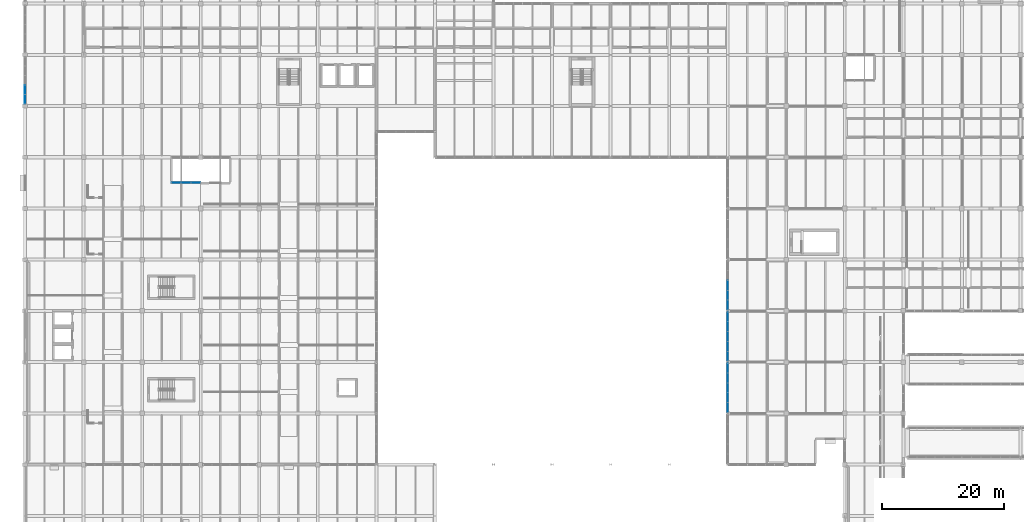
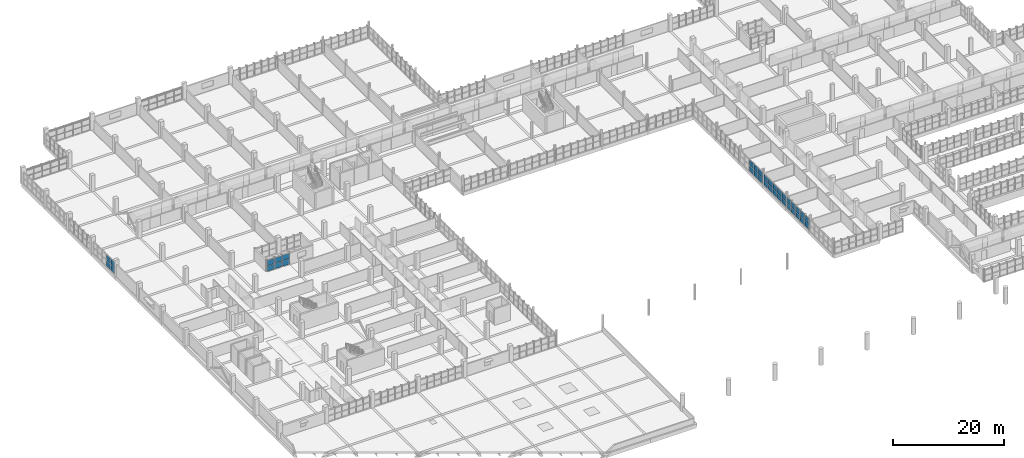
# One storey, part 93 of 147: 36 plates, 5 elements without a shape of their own.
"""IFC4 building model written with IfcOpenShell, lengths in metres."""

from ifc_helpers import new_model, si_unit, direction, frame, origin, origin_2d, place, context, subcontext, project, spatial, rectangle, extrude, material, layer, layer_set, type_object, element, aggregate, save


model = new_model("IFC4")

# Units and contexts
model_context = context("Model", 3, precision=1e-05, world=origin(), true_north=direction((0.0, 1.0)))
body_context = subcontext(model_context, "Body", "Model", "MODEL_VIEW")
ifc_project = project(units=[si_unit("LENGTHUNIT", "METRE"), si_unit("AREAUNIT", "SQUARE_METRE"), si_unit("VOLUMEUNIT", "CUBIC_METRE"), si_unit("PLANEANGLEUNIT", "RADIAN"), si_unit("MASSUNIT", "GRAM", prefix="KILO")], contexts=[model_context])

# Site, building, storey
site_placement = place(None, origin())
site = spatial("IfcSite", under=ifc_project, at=site_placement, CompositionType="ELEMENT")
building_placement = place(site_placement, origin())
building = spatial("IfcBuilding", under=site, at=building_placement, Name="Oolite Switchyard Hospital", CompositionType="ELEMENT")
storey_placement = place(building_placement, frame((0.0, 0.0, 9.89990234375)))
storey = spatial("IfcBuildingStorey", under=building, at=storey_placement, Name="L02", CompositionType="ELEMENT", Elevation=9.89990234375)

# Curtain wall, plates
ifc_material_1 = material(Name="Thermally broken aluminum frame with laminated impact glazing", Category="aluminium")
curtain_wall_type = type_object("IfcCurtainWallType", Name="CW-UNIT-84X36", PredefinedType="USERDEFINED", material=ifc_material_1)
curtain_wall_1_placement = place(storey_placement, origin())
curtain_wall_1 = element("IfcCurtainWall", 1, at=curtain_wall_1_placement, inside=storey, type_object=curtain_wall_type, Name="L02 Unitised Curtain Wall 276", ObjectType="UNITISED", PredefinedType="USERDEFINED")
ifc_material_2 = material(Name="Laminated hurricane-impact insulated glazing unit", Category="glass")
ifc_layer_1 = layer(ifc_material_2, 0.028076171875)
ifc_layer_set_1 = layer_set([ifc_layer_1], Name="CW-PNL-VIS28")
plate_type_1 = type_object("IfcPlateType", Name="CW-PNL-VIS28", PredefinedType="CURTAIN_PANEL", material=ifc_layer_set_1)
plate_1_placement = place(storey_placement, frame((0.0, 93.5107421875, 0.06005859375), z_axis=(0.0, 0.0, 1.0), x_axis=(0.0, 1.0, 0.0)))
plate_1 = element("IfcPlate", 2, at=plate_1_placement, type_object=plate_type_1, Name="CW-08 panel 1.1", PredefinedType="CURTAIN_PANEL", context=body_context, shape_type="SweptSolid", body=[
    extrude(rectangle(XDim=1.44140625, YDim=0.028076171875, at=origin_2d()), origin(), (0.0, 0.0, 1.0), 1.195068359375),
])
plate_2_placement = place(storey_placement, frame((0.0, 93.5107421875, 1.31494140625), z_axis=(0.0, 0.0, 1.0), x_axis=(0.0, 1.0, 0.0)))
plate_2 = element("IfcPlate", 3, at=plate_2_placement, type_object=plate_type_1, Name="CW-08 panel 1.2", PredefinedType="CURTAIN_PANEL", context=body_context, shape_type="SweptSolid", body=[
    extrude(rectangle(XDim=1.44140625, YDim=0.028076171875, at=origin_2d()), origin(), (0.0, 0.0, 1.0), 1.195068359375),
])
plate_3_placement = place(storey_placement, frame((0.0, 95.0458984375, 0.06005859375), z_axis=(0.0, 0.0, 1.0), x_axis=(0.0, 1.0, 0.0)))
plate_3 = element("IfcPlate", 4, at=plate_3_placement, type_object=plate_type_1, Name="CW-08 panel 2.1", PredefinedType="CURTAIN_PANEL", context=body_context, shape_type="SweptSolid", body=[
    extrude(rectangle(XDim=1.47900390625, YDim=0.028076171875, at=origin_2d()), origin(), (0.0, 0.0, 1.0), 1.195068359375),
])
plate_4_placement = place(storey_placement, frame((0.0, 95.0458984375, 1.31494140625), z_axis=(0.0, 0.0, 1.0), x_axis=(0.0, 1.0, 0.0)))
plate_4 = element("IfcPlate", 5, at=plate_4_placement, type_object=plate_type_1, Name="CW-08 panel 2.2", PredefinedType="CURTAIN_PANEL", context=body_context, shape_type="SweptSolid", body=[
    extrude(rectangle(XDim=1.47900390625, YDim=0.028076171875, at=origin_2d()), origin(), (0.0, 0.0, 1.0), 1.195068359375),
])
aggregate(curtain_wall_1, [plate_1, plate_2, plate_3, plate_4])

curtain_wall_2_placement = place(storey_placement, origin())
curtain_wall_2 = element("IfcCurtainWall", 6, at=curtain_wall_2_placement, inside=storey, type_object=curtain_wall_type, Name="L02 Unitised Curtain Wall 292", ObjectType="UNITISED", PredefinedType="USERDEFINED")
plate_5_placement = place(storey_placement, frame((115.199951171875, 42.968505859375, 0.06005859375), z_axis=(0.0, 0.0, 1.0), x_axis=(0.0, 1.0, 0.0)))
plate_5 = element("IfcPlate", 7, at=plate_5_placement, type_object=plate_type_1, Name="CW-08 panel 1.1", PredefinedType="CURTAIN_PANEL", context=body_context, shape_type="SweptSolid", body=[
    extrude(rectangle(XDim=1.533203125, YDim=0.028076171875, at=origin_2d()), origin(), (0.0, 0.0, 1.0), 1.195068359375),
])
plate_6_placement = place(storey_placement, frame((115.199951171875, 42.968505859375, 1.31494140625), z_axis=(0.0, 0.0, 1.0), x_axis=(0.0, 1.0, 0.0)))
plate_6 = element("IfcPlate", 8, at=plate_6_placement, type_object=plate_type_1, Name="CW-08 panel 1.2", PredefinedType="CURTAIN_PANEL", context=body_context, shape_type="SweptSolid", body=[
    extrude(rectangle(XDim=1.533203125, YDim=0.028076171875, at=origin_2d()), origin(), (0.0, 0.0, 1.0), 1.195068359375),
])
plate_7_placement = place(storey_placement, frame((115.199951171875, 44.576904296875, 0.06005859375), z_axis=(0.0, 0.0, 1.0), x_axis=(0.0, 1.0, 0.0)))
plate_7 = element("IfcPlate", 9, at=plate_7_placement, type_object=plate_type_1, Name="CW-08 panel 2.1", PredefinedType="CURTAIN_PANEL", context=body_context, shape_type="SweptSolid", body=[
    extrude(rectangle(XDim=1.563232421875, YDim=0.028076171875, at=origin_2d()), origin(), (0.0, 0.0, 1.0), 1.195068359375),
])
plate_8_placement = place(storey_placement, frame((115.199951171875, 44.576904296875, 1.31494140625), z_axis=(0.0, 0.0, 1.0), x_axis=(0.0, 1.0, 0.0)))
plate_8 = element("IfcPlate", 10, at=plate_8_placement, type_object=plate_type_1, Name="CW-08 panel 2.2", PredefinedType="CURTAIN_PANEL", context=body_context, shape_type="SweptSolid", body=[
    extrude(rectangle(XDim=1.563232421875, YDim=0.028076171875, at=origin_2d()), origin(), (0.0, 0.0, 1.0), 1.195068359375),
])
plate_9_placement = place(storey_placement, frame((115.199951171875, 46.199951171875, 0.06005859375), z_axis=(0.0, 0.0, 1.0), x_axis=(0.0, 1.0, 0.0)))
plate_9 = element("IfcPlate", 11, at=plate_9_placement, type_object=plate_type_1, Name="CW-08 panel 3.1", PredefinedType="CURTAIN_PANEL", context=body_context, shape_type="SweptSolid", body=[
    extrude(rectangle(XDim=1.563232421875, YDim=0.028076171875, at=origin_2d()), origin(), (0.0, 0.0, 1.0), 1.195068359375),
])
plate_10_placement = place(storey_placement, frame((115.199951171875, 46.199951171875, 1.31494140625), z_axis=(0.0, 0.0, 1.0), x_axis=(0.0, 1.0, 0.0)))
plate_10 = element("IfcPlate", 12, at=plate_10_placement, type_object=plate_type_1, Name="CW-08 panel 3.2", PredefinedType="CURTAIN_PANEL", context=body_context, shape_type="SweptSolid", body=[
    extrude(rectangle(XDim=1.563232421875, YDim=0.028076171875, at=origin_2d()), origin(), (0.0, 0.0, 1.0), 1.195068359375),
])
plate_11_placement = place(storey_placement, frame((115.199951171875, 47.8232421875, 0.06005859375), z_axis=(0.0, 0.0, 1.0), x_axis=(0.0, 1.0, 0.0)))
plate_11 = element("IfcPlate", 13, at=plate_11_placement, type_object=plate_type_1, Name="CW-08 panel 4.1", PredefinedType="CURTAIN_PANEL", context=body_context, shape_type="SweptSolid", body=[
    extrude(rectangle(XDim=1.563232421875, YDim=0.028076171875, at=origin_2d()), origin(), (0.0, 0.0, 1.0), 1.195068359375),
])
plate_12_placement = place(storey_placement, frame((115.199951171875, 47.8232421875, 1.31494140625), z_axis=(0.0, 0.0, 1.0), x_axis=(0.0, 1.0, 0.0)))
plate_12 = element("IfcPlate", 14, at=plate_12_placement, type_object=plate_type_1, Name="CW-08 panel 4.2", PredefinedType="CURTAIN_PANEL", context=body_context, shape_type="SweptSolid", body=[
    extrude(rectangle(XDim=1.563232421875, YDim=0.028076171875, at=origin_2d()), origin(), (0.0, 0.0, 1.0), 1.195068359375),
])
plate_13_placement = place(storey_placement, frame((115.199951171875, 49.431396484375, 0.06005859375), z_axis=(0.0, 0.0, 1.0), x_axis=(0.0, 1.0, 0.0)))
plate_13 = element("IfcPlate", 15, at=plate_13_placement, type_object=plate_type_1, Name="CW-08 panel 5.1", PredefinedType="CURTAIN_PANEL", context=body_context, shape_type="SweptSolid", body=[
    extrude(rectangle(XDim=1.533203125, YDim=0.028076171875, at=origin_2d()), origin(), (0.0, 0.0, 1.0), 1.195068359375),
])
plate_14_placement = place(storey_placement, frame((115.199951171875, 49.431396484375, 1.31494140625), z_axis=(0.0, 0.0, 1.0), x_axis=(0.0, 1.0, 0.0)))
plate_14 = element("IfcPlate", 16, at=plate_14_placement, type_object=plate_type_1, Name="CW-08 panel 5.2", PredefinedType="CURTAIN_PANEL", context=body_context, shape_type="SweptSolid", body=[
    extrude(rectangle(XDim=1.533203125, YDim=0.028076171875, at=origin_2d()), origin(), (0.0, 0.0, 1.0), 1.195068359375),
])
aggregate(curtain_wall_2, [plate_5, plate_6, plate_7, plate_8, plate_9, plate_10, plate_11, plate_12, plate_13, plate_14])

curtain_wall_3_placement = place(storey_placement, origin())
curtain_wall_3 = element("IfcCurtainWall", 17, at=curtain_wall_3_placement, inside=storey, type_object=curtain_wall_type, Name="L02 Unitised Curtain Wall 249", ObjectType="UNITISED", PredefinedType="USERDEFINED")
ifc_layer_2 = layer(ifc_material_2, 0.031982421875)
ifc_layer_set_2 = layer_set([ifc_layer_2], Name="CW-PNL-VIS32")
plate_type_2 = type_object("IfcPlateType", Name="CW-PNL-VIS32", PredefinedType="CURTAIN_PANEL", material=ifc_layer_set_2)
plate_15_placement = place(storey_placement, frame((24.81884765625, 79.800048828125, 0.0751953125), z_axis=(0.0, 0.0, 1.0), x_axis=(1.0, 0.0, 0.0)))
plate_15 = element("IfcPlate", 18, at=plate_15_placement, type_object=plate_type_2, Name="CW-08 panel 1.1", PredefinedType="CURTAIN_PANEL", context=body_context, shape_type="SweptSolid", body=[
    extrude(rectangle(XDim=1.487548828125, YDim=0.031982421875, at=origin_2d()), origin(), (0.0, 0.0, 1.0), 1.172607421875),
])
plate_16_placement = place(storey_placement, frame((24.81884765625, 79.800048828125, 1.32275390625), z_axis=(0.0, 0.0, 1.0), x_axis=(1.0, 0.0, 0.0)))
plate_16 = element("IfcPlate", 19, at=plate_16_placement, type_object=plate_type_2, Name="CW-08 panel 1.2", PredefinedType="CURTAIN_PANEL", context=body_context, shape_type="SweptSolid", body=[
    extrude(rectangle(XDim=1.487548828125, YDim=0.031982421875, at=origin_2d()), origin(), (0.0, 0.0, 1.0), 1.172607421875),
])
plate_17_placement = place(storey_placement, frame((26.39990234375, 79.800048828125, 0.0751953125), z_axis=(0.0, 0.0, 1.0), x_axis=(1.0, 0.0, 0.0)))
plate_17 = element("IfcPlate", 20, at=plate_17_placement, type_object=plate_type_2, Name="CW-08 panel 2.1", PredefinedType="CURTAIN_PANEL", context=body_context, shape_type="SweptSolid", body=[
    extrude(rectangle(XDim=1.52490234375, YDim=0.031982421875, at=origin_2d()), origin(), (0.0, 0.0, 1.0), 1.172607421875),
])
plate_18_placement = place(storey_placement, frame((26.39990234375, 79.800048828125, 1.32275390625), z_axis=(0.0, 0.0, 1.0), x_axis=(1.0, 0.0, 0.0)))
plate_18 = element("IfcPlate", 21, at=plate_18_placement, type_object=plate_type_2, Name="CW-08 panel 2.2", PredefinedType="CURTAIN_PANEL", context=body_context, shape_type="SweptSolid", body=[
    extrude(rectangle(XDim=1.52490234375, YDim=0.031982421875, at=origin_2d()), origin(), (0.0, 0.0, 1.0), 1.172607421875),
])
plate_19_placement = place(storey_placement, frame((27.981201171875, 79.800048828125, 0.0751953125), z_axis=(0.0, 0.0, 1.0), x_axis=(1.0, 0.0, 0.0)))
plate_19 = element("IfcPlate", 22, at=plate_19_placement, type_object=plate_type_2, Name="CW-08 panel 3.1", PredefinedType="CURTAIN_PANEL", context=body_context, shape_type="SweptSolid", body=[
    extrude(rectangle(XDim=1.487548828125, YDim=0.031982421875, at=origin_2d()), origin(), (0.0, 0.0, 1.0), 1.172607421875),
])
plate_20_placement = place(storey_placement, frame((27.981201171875, 79.800048828125, 1.32275390625), z_axis=(0.0, 0.0, 1.0), x_axis=(1.0, 0.0, 0.0)))
plate_20 = element("IfcPlate", 23, at=plate_20_placement, type_object=plate_type_2, Name="CW-08 panel 3.2", PredefinedType="CURTAIN_PANEL", context=body_context, shape_type="SweptSolid", body=[
    extrude(rectangle(XDim=1.487548828125, YDim=0.031982421875, at=origin_2d()), origin(), (0.0, 0.0, 1.0), 1.172607421875),
])
aggregate(curtain_wall_3, [plate_15, plate_16, plate_17, plate_18, plate_19, plate_20])

curtain_wall_4_placement = place(storey_placement, origin())
curtain_wall_4 = element("IfcCurtainWall", 24, at=curtain_wall_4_placement, inside=storey, type_object=curtain_wall_type, Name="L02 Unitised Curtain Wall 293", ObjectType="UNITISED", PredefinedType="USERDEFINED")
plate_21_placement = place(storey_placement, frame((115.199951171875, 51.37109375, 0.0751953125), z_axis=(0.0, 0.0, 1.0), x_axis=(0.0, 1.0, 0.0)))
plate_21 = element("IfcPlate", 25, at=plate_21_placement, type_object=plate_type_2, Name="CW-08 panel 1.1", PredefinedType="CURTAIN_PANEL", context=body_context, shape_type="SweptSolid", body=[
    extrude(rectangle(XDim=1.518310546875, YDim=0.031982421875, at=origin_2d()), origin(), (0.0, 0.0, 1.0), 1.172607421875),
])
plate_22_placement = place(storey_placement, frame((115.199951171875, 51.37109375, 1.32275390625), z_axis=(0.0, 0.0, 1.0), x_axis=(0.0, 1.0, 0.0)))
plate_22 = element("IfcPlate", 26, at=plate_22_placement, type_object=plate_type_2, Name="CW-08 panel 1.2", PredefinedType="CURTAIN_PANEL", context=body_context, shape_type="SweptSolid", body=[
    extrude(rectangle(XDim=1.518310546875, YDim=0.031982421875, at=origin_2d()), origin(), (0.0, 0.0, 1.0), 1.172607421875),
])
plate_23_placement = place(storey_placement, frame((115.199951171875, 52.976806640625, 0.0751953125), z_axis=(0.0, 0.0, 1.0), x_axis=(0.0, 1.0, 0.0)))
plate_23 = element("IfcPlate", 27, at=plate_23_placement, type_object=plate_type_2, Name="CW-08 panel 2.1", PredefinedType="CURTAIN_PANEL", context=body_context, shape_type="SweptSolid", body=[
    extrude(rectangle(XDim=1.55322265625, YDim=0.031982421875, at=origin_2d()), origin(), (0.0, 0.0, 1.0), 1.172607421875),
])
plate_24_placement = place(storey_placement, frame((115.199951171875, 52.976806640625, 1.32275390625), z_axis=(0.0, 0.0, 1.0), x_axis=(0.0, 1.0, 0.0)))
plate_24 = element("IfcPlate", 28, at=plate_24_placement, type_object=plate_type_2, Name="CW-08 panel 2.2", PredefinedType="CURTAIN_PANEL", context=body_context, shape_type="SweptSolid", body=[
    extrude(rectangle(XDim=1.55322265625, YDim=0.031982421875, at=origin_2d()), origin(), (0.0, 0.0, 1.0), 1.172607421875),
])
plate_25_placement = place(storey_placement, frame((115.199951171875, 54.60009765625, 0.0751953125), z_axis=(0.0, 0.0, 1.0), x_axis=(0.0, 1.0, 0.0)))
plate_25 = element("IfcPlate", 29, at=plate_25_placement, type_object=plate_type_2, Name="CW-08 panel 3.1", PredefinedType="CURTAIN_PANEL", context=body_context, shape_type="SweptSolid", body=[
    extrude(rectangle(XDim=1.55322265625, YDim=0.031982421875, at=origin_2d()), origin(), (0.0, 0.0, 1.0), 1.172607421875),
])
plate_26_placement = place(storey_placement, frame((115.199951171875, 54.60009765625, 1.32275390625), z_axis=(0.0, 0.0, 1.0), x_axis=(0.0, 1.0, 0.0)))
plate_26 = element("IfcPlate", 30, at=plate_26_placement, type_object=plate_type_2, Name="CW-08 panel 3.2", PredefinedType="CURTAIN_PANEL", context=body_context, shape_type="SweptSolid", body=[
    extrude(rectangle(XDim=1.55322265625, YDim=0.031982421875, at=origin_2d()), origin(), (0.0, 0.0, 1.0), 1.172607421875),
])
plate_27_placement = place(storey_placement, frame((115.199951171875, 56.22314453125, 0.0751953125), z_axis=(0.0, 0.0, 1.0), x_axis=(0.0, 1.0, 0.0)))
plate_27 = element("IfcPlate", 31, at=plate_27_placement, type_object=plate_type_2, Name="CW-08 panel 4.1", PredefinedType="CURTAIN_PANEL", context=body_context, shape_type="SweptSolid", body=[
    extrude(rectangle(XDim=1.55322265625, YDim=0.031982421875, at=origin_2d()), origin(), (0.0, 0.0, 1.0), 1.172607421875),
])
plate_28_placement = place(storey_placement, frame((115.199951171875, 56.22314453125, 1.32275390625), z_axis=(0.0, 0.0, 1.0), x_axis=(0.0, 1.0, 0.0)))
plate_28 = element("IfcPlate", 32, at=plate_28_placement, type_object=plate_type_2, Name="CW-08 panel 4.2", PredefinedType="CURTAIN_PANEL", context=body_context, shape_type="SweptSolid", body=[
    extrude(rectangle(XDim=1.55322265625, YDim=0.031982421875, at=origin_2d()), origin(), (0.0, 0.0, 1.0), 1.172607421875),
])
plate_29_placement = place(storey_placement, frame((115.199951171875, 57.828857421875, 0.0751953125), z_axis=(0.0, 0.0, 1.0), x_axis=(0.0, 1.0, 0.0)))
plate_29 = element("IfcPlate", 33, at=plate_29_placement, type_object=plate_type_2, Name="CW-08 panel 5.1", PredefinedType="CURTAIN_PANEL", context=body_context, shape_type="SweptSolid", body=[
    extrude(rectangle(XDim=1.518310546875, YDim=0.031982421875, at=origin_2d()), origin(), (0.0, 0.0, 1.0), 1.172607421875),
])
plate_30_placement = place(storey_placement, frame((115.199951171875, 57.828857421875, 1.32275390625), z_axis=(0.0, 0.0, 1.0), x_axis=(0.0, 1.0, 0.0)))
plate_30 = element("IfcPlate", 34, at=plate_30_placement, type_object=plate_type_2, Name="CW-08 panel 5.2", PredefinedType="CURTAIN_PANEL", context=body_context, shape_type="SweptSolid", body=[
    extrude(rectangle(XDim=1.518310546875, YDim=0.031982421875, at=origin_2d()), origin(), (0.0, 0.0, 1.0), 1.172607421875),
])
aggregate(curtain_wall_4, [plate_21, plate_22, plate_23, plate_24, plate_25, plate_26, plate_27, plate_28, plate_29, plate_30])

curtain_wall_5_placement = place(storey_placement, origin())
curtain_wall_5 = element("IfcCurtainWall", 35, at=curtain_wall_5_placement, inside=storey, type_object=curtain_wall_type, Name="L02 Unitised Curtain Wall 294", ObjectType="UNITISED", PredefinedType="USERDEFINED")
ifc_layer_3 = layer(ifc_material_2, 0.035888671875)
ifc_layer_set_3 = layer_set([ifc_layer_3], Name="CW-PNL-VIS36")
plate_type_3 = type_object("IfcPlateType", Name="CW-PNL-VIS36", PredefinedType="CURTAIN_PANEL", material=ifc_layer_set_3)
plate_31_placement = place(storey_placement, frame((115.199951171875, 59.7724609375, 0.06005859375), z_axis=(0.0, 0.0, 1.0), x_axis=(0.0, 1.0, 0.0)))
plate_31 = element("IfcPlate", 36, at=plate_31_placement, type_object=plate_type_3, Name="CW-08 panel 1.1", PredefinedType="CURTAIN_PANEL", context=body_context, shape_type="SweptSolid", body=[
    extrude(rectangle(XDim=1.5107421875, YDim=0.035888671875, at=origin_2d()), origin(), (0.0, 0.0, 1.0), 1.195068359375),
])
plate_32_placement = place(storey_placement, frame((115.199951171875, 59.7724609375, 1.31494140625), z_axis=(0.0, 0.0, 1.0), x_axis=(0.0, 1.0, 0.0)))
plate_32 = element("IfcPlate", 37, at=plate_32_placement, type_object=plate_type_3, Name="CW-08 panel 1.2", PredefinedType="CURTAIN_PANEL", context=body_context, shape_type="SweptSolid", body=[
    extrude(rectangle(XDim=1.5107421875, YDim=0.035888671875, at=origin_2d()), origin(), (0.0, 0.0, 1.0), 1.195068359375),
])
plate_33_placement = place(storey_placement, frame((115.199951171875, 61.376708984375, 0.06005859375), z_axis=(0.0, 0.0, 1.0), x_axis=(0.0, 1.0, 0.0)))
plate_33 = element("IfcPlate", 38, at=plate_33_placement, type_object=plate_type_3, Name="CW-08 panel 2.1", PredefinedType="CURTAIN_PANEL", context=body_context, shape_type="SweptSolid", body=[
    extrude(rectangle(XDim=1.548095703125, YDim=0.035888671875, at=origin_2d()), origin(), (0.0, 0.0, 1.0), 1.195068359375),
])
plate_34_placement = place(storey_placement, frame((115.199951171875, 61.376708984375, 1.31494140625), z_axis=(0.0, 0.0, 1.0), x_axis=(0.0, 1.0, 0.0)))
plate_34 = element("IfcPlate", 39, at=plate_34_placement, type_object=plate_type_3, Name="CW-08 panel 2.2", PredefinedType="CURTAIN_PANEL", context=body_context, shape_type="SweptSolid", body=[
    extrude(rectangle(XDim=1.548095703125, YDim=0.035888671875, at=origin_2d()), origin(), (0.0, 0.0, 1.0), 1.195068359375),
])
plate_35_placement = place(storey_placement, frame((115.199951171875, 63.0, 0.06005859375), z_axis=(0.0, 0.0, 1.0), x_axis=(0.0, 1.0, 0.0)))
plate_35 = element("IfcPlate", 40, at=plate_35_placement, type_object=plate_type_3, Name="CW-08 panel 3.1", PredefinedType="CURTAIN_PANEL", context=body_context, shape_type="SweptSolid", body=[
    extrude(rectangle(XDim=1.548095703125, YDim=0.035888671875, at=origin_2d()), origin(), (0.0, 0.0, 1.0), 1.195068359375),
])
plate_36_placement = place(storey_placement, frame((115.199951171875, 63.0, 1.31494140625), z_axis=(0.0, 0.0, 1.0), x_axis=(0.0, 1.0, 0.0)))
plate_36 = element("IfcPlate", 41, at=plate_36_placement, type_object=plate_type_3, Name="CW-08 panel 3.2", PredefinedType="CURTAIN_PANEL", context=body_context, shape_type="SweptSolid", body=[
    extrude(rectangle(XDim=1.548095703125, YDim=0.035888671875, at=origin_2d()), origin(), (0.0, 0.0, 1.0), 1.195068359375),
])
aggregate(curtain_wall_5, [plate_31, plate_32, plate_33, plate_34, plate_35, plate_36])

save(model, "model.ifc")
